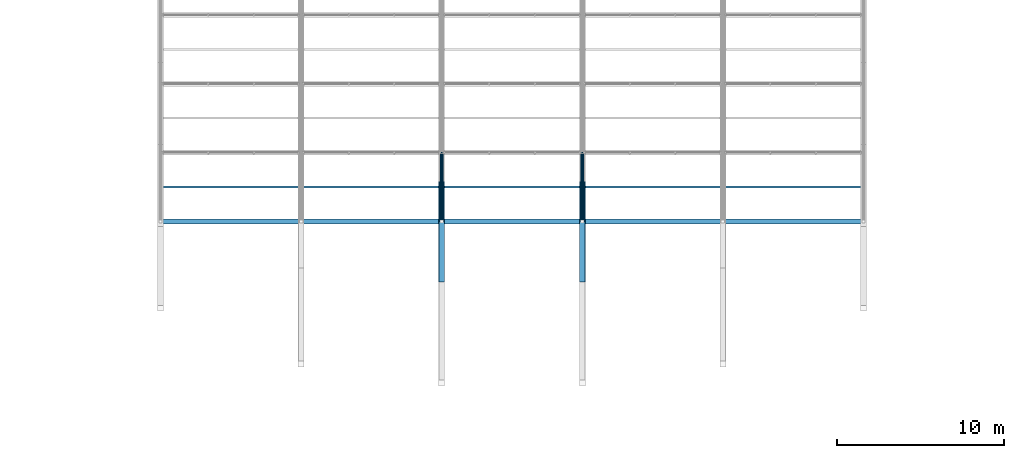
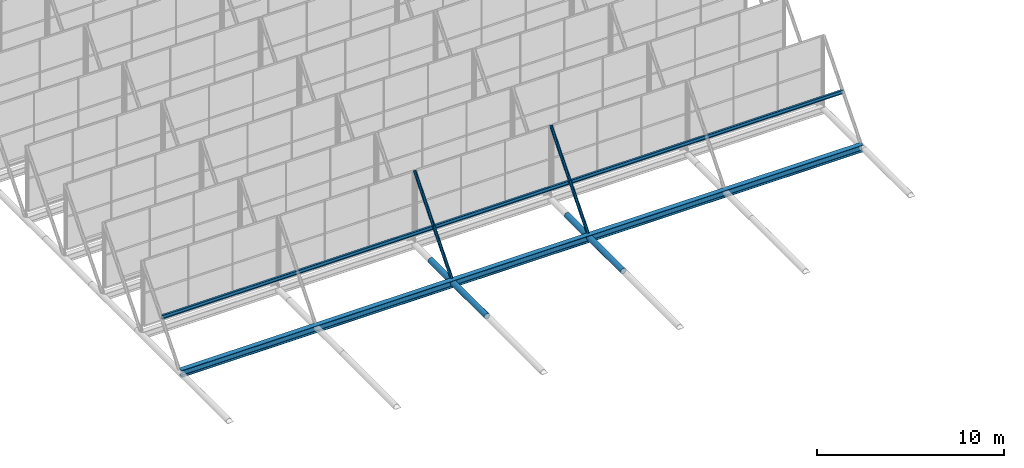
# One storey, part 6 of 77: 4 members, 2 beams.
"""IFC4 building model written with IfcOpenShell, lengths in metres."""

from ifc_helpers import new_model, si_unit, derived_unit, direction, frame, origin, origin_2d, place, context, subcontext, project, spatial, hollow_circle, i_section, extrude, material, material_profile, profile_set, type_object, element, save


model = new_model("IFC4")

# Units and contexts
model_context = context("Model", 3, precision=1e-05, world=origin(), true_north=direction((0.0, 1.0)))
body_context = subcontext(model_context, "Body", "Model", "MODEL_VIEW")
ifc_project = project(units=[si_unit("LENGTHUNIT", "METRE"), si_unit("AREAUNIT", "SQUARE_METRE"), si_unit("VOLUMEUNIT", "CUBIC_METRE"), si_unit("PLANEANGLEUNIT", "RADIAN"), si_unit("MASSUNIT", "GRAM", prefix="KILO"), derived_unit("THERMALTRANSMITTANCEUNIT", [(si_unit("MASSUNIT", "GRAM", prefix="KILO"), 1), (si_unit("TIMEUNIT", "SECOND"), -3), (si_unit("THERMODYNAMICTEMPERATUREUNIT", "KELVIN"), -1)])], contexts=[model_context])

# Site, building, storey
site_placement = place(None, origin())
site = spatial("IfcSite", under=ifc_project, at=site_placement, CompositionType="ELEMENT")
building_placement = place(site_placement, origin())
building = spatial("IfcBuilding", under=site, at=building_placement, Name="Kharveza Railside Sports Centre", CompositionType="ELEMENT")
storey_placement = place(building_placement, frame((0.0, 0.0, 17.10009765625)))
storey = spatial("IfcBuildingStorey", under=building, at=storey_placement, Name="L04", CompositionType="ELEMENT", Elevation=17.10009765625)

# Beams
ifc_material_1 = material(Name="Steel S355J2", Category="steel")
ifc_material_profile_1 = material_profile(ifc_material_1, i_section(OverallWidth=0.300048828125, OverallDepth=0.449951171875, WebThickness=0.013916015625, FlangeThickness=0.02587890625, FilletRadius=0.027099609375, at=origin_2d()), Name="HEB 450")
ifc_profile_set_1 = profile_set([ifc_material_profile_1], Name="Steel S355J2")
beam_type_1 = type_object("IfcBeamType", Name="BM-G06", PredefinedType="T_BEAM", material=ifc_profile_set_1)
beam_1_placement = place(storey_placement, frame((33.60009765625, 36.0, -1.050048828125), z_axis=(1.0, 0.0, 0.0), x_axis=(0.0, 1.0, 0.0)))
element("IfcBeam", 1, at=beam_1_placement, inside=storey, type_object=beam_type_1, Name="BM-V1SAW-VAL-1", PredefinedType="T_BEAM", context=body_context, shape_type="SweptSolid", body=[
    extrude(i_section(OverallWidth=0.300048828125, OverallDepth=0.449951171875, WebThickness=0.013916015625, FlangeThickness=0.02587890625, FilletRadius=0.027099609375, at=origin_2d()), origin(), (0.0, 0.0, 1.0), 42.0),
])
ifc_material_2 = material(Name="Steel S275JR", Category="steel")
ifc_material_profile_2 = material_profile(ifc_material_2, i_section(OverallWidth=0.1201171875, OverallDepth=0.239990234375, WebThickness=0.006103515625, FlangeThickness=0.009765625, FilletRadius=0.014892578125, at=origin_2d()), Name="IPE 240")
ifc_profile_set_2 = profile_set([ifc_material_profile_2], Name="Steel S275JR")
beam_type_2 = type_object("IfcBeamType", Name="BM-J01", PredefinedType="JOIST", material=ifc_profile_set_2)
beam_2_placement = place(storey_placement, frame((33.60009765625, 38.05712890625, 1.31982421875), z_axis=(1.0, 0.0, 0.0), x_axis=(0.0, 1.0, 0.0)))
element("IfcBeam", 2, at=beam_2_placement, inside=storey, type_object=beam_type_2, Name="BM-V1SAW-PUR-1", PredefinedType="JOIST", context=body_context, shape_type="SweptSolid", body=[
    extrude(i_section(OverallWidth=0.1201171875, OverallDepth=0.239990234375, WebThickness=0.006103515625, FlangeThickness=0.009765625, FilletRadius=0.014892578125, at=origin_2d()), origin(), (0.0, 0.0, 1.0), 42.0),
])

# Members
ifc_material_profile_3 = material_profile(ifc_material_1, hollow_circle(Radius=0.177734375, WallThickness=0.01611328125, at=origin_2d()), Name="CHS 355.6x16.0")
ifc_profile_set_3 = profile_set([ifc_material_profile_3], Name="Steel S355J2")
member_type_1 = type_object("IfcMemberType", Name="MB-CH01", PredefinedType="CHORD", material=ifc_profile_set_3)
for number, where, z_axis, x_axis, name in (
    (3, (50.39990234375, 32.37109375, -1.050048828125), (0.0, 1.0, 0.0), (-1.0, 0.0, 0.0), "MB-V1TR-TC-3-2"),
    (4, (58.800048828125, 32.37109375, -1.050048828125), (0.0, 1.0, 0.0), (-1.0, 0.0, 0.0), "MB-V1TR-TC-4-2"),
):
    element("IfcMember", number, at=place(storey_placement, frame(where, z_axis=z_axis, x_axis=x_axis)), inside=storey, type_object=member_type_1, Name=name, PredefinedType="CHORD", context=body_context, shape_type="SweptSolid", body=[
        extrude(hollow_circle(Radius=0.177734375, WallThickness=0.01611328125, at=origin_2d()), origin(), (0.0, 0.0, 1.0), 6.009521484375),
    ])
ifc_material_profile_4 = material_profile(ifc_material_1, hollow_circle(Radius=0.096923828125, WallThickness=0.010009765625, at=origin_2d()), Name="CHS 193.7x10.0")
ifc_profile_set_4 = profile_set([ifc_material_profile_4], Name="Steel S355J2")
member_type_2 = type_object("IfcMemberType", Name="MB-ST02", PredefinedType="STRUT", material=ifc_profile_set_4)
for number, where, z_axis, x_axis, name in (
    (5, (50.39990234375, 36.0, -1.050048828125), (0.0, 0.650003261435, 0.759931418039), (-1.0, 0.0, 0.0), "MB-V1SAW-RFT-1-3"),
    (6, (58.800048828125, 36.0, -1.050048828125), (0.0, 0.650003261435, 0.759931418039), (-1.0, 0.0, 0.0), "MB-V1SAW-RFT-1-4"),
):
    element("IfcMember", number, at=place(storey_placement, frame(where, z_axis=z_axis, x_axis=x_axis)), inside=storey, type_object=member_type_2, Name=name, PredefinedType="STRUT", context=body_context, shape_type="SweptSolid", body=[
        extrude(hollow_circle(Radius=0.096923828125, WallThickness=0.010009765625, at=origin_2d()), origin(), (0.0, 0.0, 1.0), 6.32958984375),
    ])

save(model, "model.ifc")
